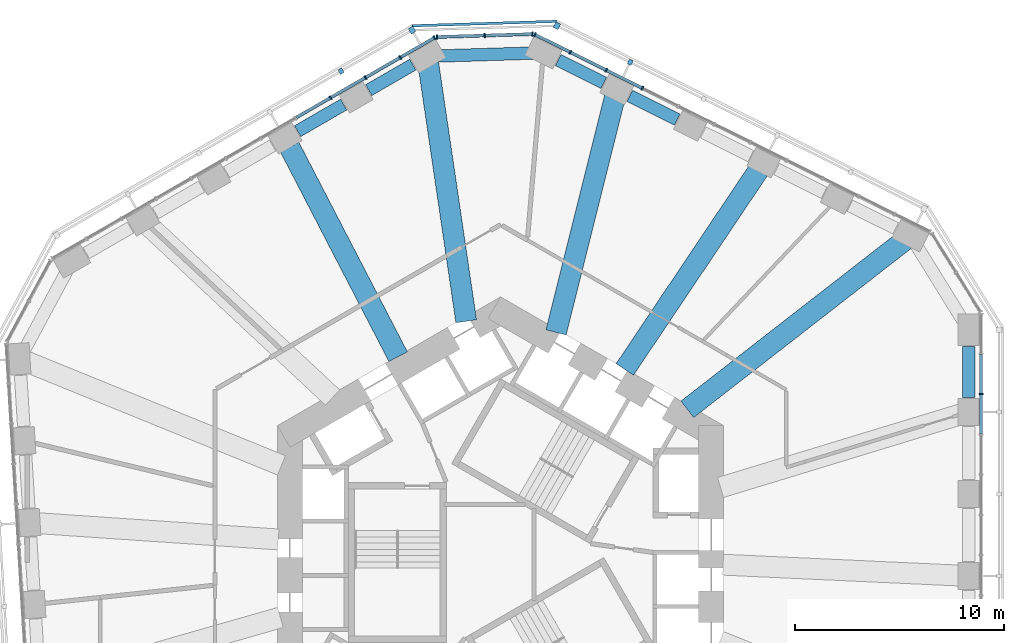
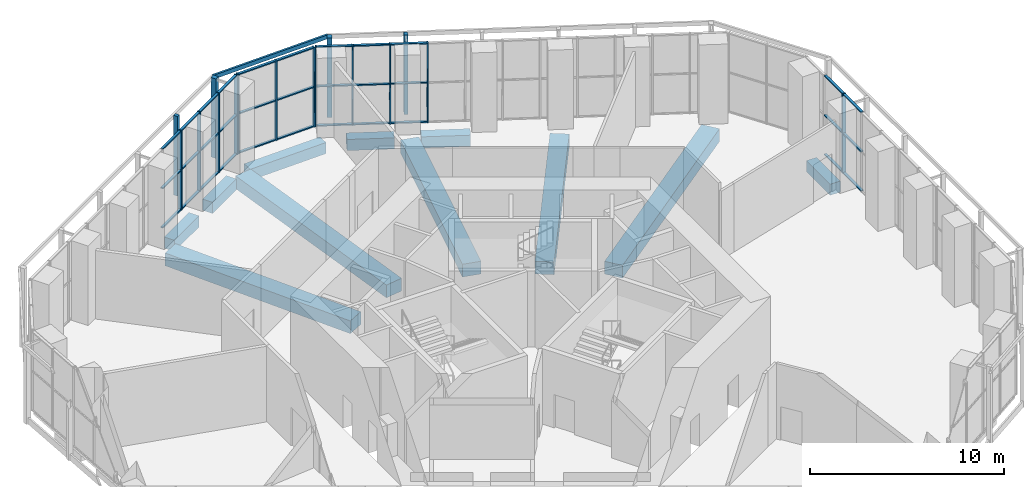
# One storey, part 8 of 19: 50 members, 11 beams, 7 elements without a shape of their own.
"""IFC4 building model written with IfcOpenShell, lengths in metres."""

from ifc_helpers import new_model, si_unit, direction, frame, origin, origin_2d, place, context, subcontext, project, spatial, rectangle, extrude, material, material_profile, profile_set, type_object, element, aggregate, save


model = new_model("IFC4")

# Units and contexts
model_context = context("Model", 3, precision=1e-05, world=origin(), true_north=direction((0.0, 1.0)))
body_context = subcontext(model_context, "Body", "Model", "MODEL_VIEW")
ifc_project = project(units=[si_unit("LENGTHUNIT", "METRE"), si_unit("AREAUNIT", "SQUARE_METRE"), si_unit("VOLUMEUNIT", "CUBIC_METRE"), si_unit("PLANEANGLEUNIT", "RADIAN"), si_unit("MASSUNIT", "GRAM", prefix="KILO")], contexts=[model_context])

# Site, building, storey
site_placement = place(None, origin())
site = spatial("IfcSite", under=ifc_project, at=site_placement, CompositionType="ELEMENT")
building_placement = place(site_placement, origin())
building = spatial("IfcBuilding", under=site, at=building_placement, Name="Vanh Sen Convention Tower", CompositionType="ELEMENT")
storey_placement = place(building_placement, frame((0.0, 0.0, 39.0)))
storey = spatial("IfcBuildingStorey", under=building, at=storey_placement, Name="L06", CompositionType="ELEMENT", Elevation=39.0)

# Curtain wall, member
ifc_material_1 = material(Name="Aluminium structural glazing system", Category="aluminium")
curtain_wall_type_1 = type_object("IfcCurtainWallType", Name="Hotel lobby structural glazing", PredefinedType="NOTDEFINED", material=ifc_material_1)
curtain_wall_1_placement = place(storey_placement, origin())
curtain_wall_1 = element("IfcCurtainWall", 1, at=curtain_wall_1_placement, inside=storey, type_object=curtain_wall_type_1, Name="Hotel lobby glazing E L06", PredefinedType="NOTDEFINED")
ifc_material_2 = material(Name="Aluminium mullion", Category="aluminium")
ifc_material_profile_1 = material_profile(ifc_material_2, rectangle(XDim=0.199951171875, YDim=0.070068359375, at=origin_2d()), Name="Lobby glazing mullion 70 x 200")
ifc_profile_set_1 = profile_set([ifc_material_profile_1], Name="Aluminium mullion")
member_type_1 = type_object("IfcMemberType", Name="Lobby glazing mullion 70 x 200", PredefinedType="MULLION", material=ifc_profile_set_1)
member_1_placement = place(storey_placement, frame((23.050048828125, 7.696533203125, 0.0), z_axis=(0.0, 0.0, 1.0), x_axis=(-1.0, 0.0, 0.0)))
member_1 = element("IfcMember", 2, at=member_1_placement, type_object=member_type_1, Name="CW2 mullion 10", PredefinedType="MULLION", context=body_context, shape_type="SweptSolid", body=[
    extrude(rectangle(XDim=0.199951171875, YDim=0.070068359375, at=origin_2d()), origin(), (0.0, 0.0, 1.0), 5.0),
])

# Curtain wall, members
curtain_wall_2_placement = place(storey_placement, origin())
curtain_wall_2 = element("IfcCurtainWall", 3, at=curtain_wall_2_placement, inside=storey, type_object=curtain_wall_type_1, Name="Hotel lobby glazing NE L06", PredefinedType="NOTDEFINED")
member_2_placement = place(storey_placement, frame((6.801513671875, 22.364990234375, 0.0), z_axis=(0.0, 0.0, 1.0), x_axis=(-0.446198535483, -0.89493400144, 0.0)))
member_2 = element("IfcMember", 4, at=member_2_placement, type_object=member_type_1, Name="CW2 mullion 9", PredefinedType="MULLION", context=body_context, shape_type="SweptSolid", body=[
    extrude(rectangle(XDim=0.199951171875, YDim=0.070068359375, at=origin_2d()), origin(), (0.0, 0.0, 1.0), 5.0),
])
member_3_placement = place(storey_placement, frame((5.072998046875, 23.226806640625, 0.0), z_axis=(0.0, 0.0, 1.0), x_axis=(-0.446198535483, -0.89493400144, 0.0)))
member_3 = element("IfcMember", 5, at=member_3_placement, type_object=member_type_1, Name="CW2 mullion 10", PredefinedType="MULLION", context=body_context, shape_type="SweptSolid", body=[
    extrude(rectangle(XDim=0.199951171875, YDim=0.070068359375, at=origin_2d()), origin(), (0.0, 0.0, 1.0), 5.0),
])
member_4_placement = place(storey_placement, frame((3.344482421875, 24.088623046875, 0.0), z_axis=(0.0, 0.0, 1.0), x_axis=(-0.446198535483, -0.89493400144, 0.0)))
member_4 = element("IfcMember", 6, at=member_4_placement, type_object=member_type_1, Name="CW2 mullion 11", PredefinedType="MULLION", context=body_context, shape_type="SweptSolid", body=[
    extrude(rectangle(XDim=0.199951171875, YDim=0.070068359375, at=origin_2d()), origin(), (0.0, 0.0, 1.0), 5.0),
])
member_5_placement = place(storey_placement, frame((1.647216796875, 24.934814453125, 0.0), z_axis=(0.0, 0.0, 1.0), x_axis=(-0.446198535483, -0.89493400144, 0.0)))
member_5 = element("IfcMember", 7, at=member_5_placement, type_object=member_type_1, Name="CW2 mullion 12", PredefinedType="MULLION", context=body_context, shape_type="SweptSolid", body=[
    extrude(rectangle(XDim=0.199951171875, YDim=0.070068359375, at=origin_2d()), origin(), (0.0, 0.0, 1.0), 5.0),
])

curtain_wall_3_placement = place(storey_placement, origin())
curtain_wall_3 = element("IfcCurtainWall", 8, at=curtain_wall_3_placement, inside=storey, type_object=curtain_wall_type_1, Name="Hotel lobby glazing CH2 L06", PredefinedType="NOTDEFINED")
member_6_placement = place(storey_placement, frame((1.533203125, 24.959716796875, 0.0), z_axis=(0.0, 0.0, 1.0), x_axis=(0.030538621474, -0.999533587529, 0.0)))
member_6 = element("IfcMember", 9, at=member_6_placement, type_object=member_type_1, Name="CW2 mullion 1", PredefinedType="MULLION", context=body_context, shape_type="SweptSolid", body=[
    extrude(rectangle(XDim=0.199951171875, YDim=0.070068359375, at=origin_2d()), origin(), (0.0, 0.0, 1.0), 5.0),
])
member_7_placement = place(storey_placement, frame((-0.760498046875, 24.8896484375, 0.0), z_axis=(0.0, 0.0, 1.0), x_axis=(0.030538621474, -0.999533587529, 0.0)))
member_7 = element("IfcMember", 10, at=member_7_placement, type_object=member_type_1, Name="CW2 mullion 2", PredefinedType="MULLION", context=body_context, shape_type="SweptSolid", body=[
    extrude(rectangle(XDim=0.199951171875, YDim=0.070068359375, at=origin_2d()), origin(), (0.0, 0.0, 1.0), 5.0),
])
member_8_placement = place(storey_placement, frame((-3.05419921875, 24.819580078125, 0.0), z_axis=(0.0, 0.0, 1.0), x_axis=(0.030538621474, -0.999533587529, 0.0)))
member_8 = element("IfcMember", 11, at=member_8_placement, type_object=member_type_1, Name="CW2 mullion 3", PredefinedType="MULLION", context=body_context, shape_type="SweptSolid", body=[
    extrude(rectangle(XDim=0.199951171875, YDim=0.070068359375, at=origin_2d()), origin(), (0.0, 0.0, 1.0), 5.0),
])

curtain_wall_4_placement = place(storey_placement, origin())
curtain_wall_4 = element("IfcCurtainWall", 12, at=curtain_wall_4_placement, inside=storey, type_object=curtain_wall_type_1, Name="Hotel lobby glazing NW L06", PredefinedType="NOTDEFINED")
member_9_placement = place(storey_placement, frame((-3.16650390625, 24.78759765625, 0.0), z_axis=(0.0, 0.0, 1.0), x_axis=(0.500000997302, -0.866024827991, 0.0)))
member_9 = element("IfcMember", 13, at=member_9_placement, type_object=member_type_1, Name="CW2 mullion 1", PredefinedType="MULLION", context=body_context, shape_type="SweptSolid", body=[
    extrude(rectangle(XDim=0.199951171875, YDim=0.070068359375, at=origin_2d()), origin(), (0.0, 0.0, 1.0), 5.0),
])
member_10_placement = place(storey_placement, frame((-4.808837890625, 23.83935546875, 0.0), z_axis=(0.0, 0.0, 1.0), x_axis=(0.500000997302, -0.866024827991, 0.0)))
member_10 = element("IfcMember", 14, at=member_10_placement, type_object=member_type_1, Name="CW2 mullion 2", PredefinedType="MULLION", context=body_context, shape_type="SweptSolid", body=[
    extrude(rectangle(XDim=0.199951171875, YDim=0.070068359375, at=origin_2d()), origin(), (0.0, 0.0, 1.0), 5.0),
])
member_11_placement = place(storey_placement, frame((-6.4814453125, 22.873779296875, 0.0), z_axis=(0.0, 0.0, 1.0), x_axis=(0.500000997302, -0.866024827991, 0.0)))
member_11 = element("IfcMember", 15, at=member_11_placement, type_object=member_type_1, Name="CW2 mullion 3", PredefinedType="MULLION", context=body_context, shape_type="SweptSolid", body=[
    extrude(rectangle(XDim=0.199951171875, YDim=0.070068359375, at=origin_2d()), origin(), (0.0, 0.0, 1.0), 5.0),
])
member_12_placement = place(storey_placement, frame((-8.154296875, 21.907958984375, 0.0), z_axis=(0.0, 0.0, 1.0), x_axis=(0.500000997302, -0.866024827991, 0.0)))
member_12 = element("IfcMember", 16, at=member_12_placement, type_object=member_type_1, Name="CW2 mullion 4", PredefinedType="MULLION", context=body_context, shape_type="SweptSolid", body=[
    extrude(rectangle(XDim=0.199951171875, YDim=0.070068359375, at=origin_2d()), origin(), (0.0, 0.0, 1.0), 5.0),
])

# Member
ifc_material_3 = material(Name="Aluminium transom", Category="aluminium")
ifc_material_profile_2 = material_profile(ifc_material_3, rectangle(XDim=0.14990234375, YDim=0.070068359375, at=origin_2d()), Name="Lobby glazing transom 150 x 70")
ifc_profile_set_2 = profile_set([ifc_material_profile_2], Name="Aluminium transom")
member_type_2 = type_object("IfcMemberType", Name="Lobby glazing transom 150 x 70", PredefinedType="USERDEFINED", material=ifc_profile_set_2)
member_13_placement = place(storey_placement, frame((23.050048828125, 5.800048828125, 0.034912109375), z_axis=(0.0, 1.0, 0.0), x_axis=(-1.0, 0.0, 0.0)))
member_13 = element("IfcMember", 17, at=member_13_placement, type_object=member_type_2, Name="CW2 transom 9.1", ObjectType="TRANSOM", PredefinedType="USERDEFINED", context=body_context, shape_type="SweptSolid", body=[
    extrude(rectangle(XDim=0.14990234375, YDim=0.070068359375, at=origin_2d()), origin(), (0.0, 0.0, 1.0), 1.861572265625),
])

member_14_placement = place(storey_placement, frame((23.050048828125, 5.800048828125, 2.5), z_axis=(0.0, 1.0, 0.0), x_axis=(-1.0, 0.0, 0.0)))
member_14 = element("IfcMember", 18, at=member_14_placement, type_object=member_type_2, Name="CW2 transom 9.2", ObjectType="TRANSOM", PredefinedType="USERDEFINED", context=body_context, shape_type="SweptSolid", body=[
    extrude(rectangle(XDim=0.14990234375, YDim=0.070068359375, at=origin_2d()), origin(), (0.0, 0.0, 1.0), 1.861572265625),
])

member_15_placement = place(storey_placement, frame((23.050048828125, 5.800048828125, 4.965087890625), z_axis=(0.0, 1.0, 0.0), x_axis=(-1.0, 0.0, 0.0)))
member_15 = element("IfcMember", 19, at=member_15_placement, type_object=member_type_2, Name="CW2 transom 9.3", ObjectType="TRANSOM", PredefinedType="USERDEFINED", context=body_context, shape_type="SweptSolid", body=[
    extrude(rectangle(XDim=0.14990234375, YDim=0.070068359375, at=origin_2d()), origin(), (0.0, 0.0, 1.0), 1.861572265625),
])

member_16_placement = place(storey_placement, frame((23.050048828125, 7.731689453125, 0.034912109375), z_axis=(0.0, 1.0, 0.0), x_axis=(-1.0, 0.0, 0.0)))
member_16 = element("IfcMember", 20, at=member_16_placement, type_object=member_type_2, Name="CW2 transom 10.1", ObjectType="TRANSOM", PredefinedType="USERDEFINED", context=body_context, shape_type="SweptSolid", body=[
    extrude(rectangle(XDim=0.14990234375, YDim=0.070068359375, at=origin_2d()), origin(), (0.0, 0.0, 1.0), 1.861328125),
])

member_17_placement = place(storey_placement, frame((23.050048828125, 7.731689453125, 2.5), z_axis=(0.0, 1.0, 0.0), x_axis=(-1.0, 0.0, 0.0)))
member_17 = element("IfcMember", 21, at=member_17_placement, type_object=member_type_2, Name="CW2 transom 10.2", ObjectType="TRANSOM", PredefinedType="USERDEFINED", context=body_context, shape_type="SweptSolid", body=[
    extrude(rectangle(XDim=0.14990234375, YDim=0.070068359375, at=origin_2d()), origin(), (0.0, 0.0, 1.0), 1.861328125),
])

member_18_placement = place(storey_placement, frame((23.050048828125, 7.731689453125, 4.965087890625), z_axis=(0.0, 1.0, 0.0), x_axis=(-1.0, 0.0, 0.0)))
member_18 = element("IfcMember", 22, at=member_18_placement, type_object=member_type_2, Name="CW2 transom 10.3", ObjectType="TRANSOM", PredefinedType="USERDEFINED", context=body_context, shape_type="SweptSolid", body=[
    extrude(rectangle(XDim=0.14990234375, YDim=0.070068359375, at=origin_2d()), origin(), (0.0, 0.0, 1.0), 1.861328125),
])

aggregate(curtain_wall_1, [member_1, member_13, member_14, member_15, member_16, member_17, member_18])

member_19_placement = place(storey_placement, frame((6.770263671875, 22.380615234375, 0.034912109375), z_axis=(-0.894925054859, 0.446216479061, 0.0), x_axis=(-0.446216479061, -0.894925054859, 0.0)))
member_19 = element("IfcMember", 23, at=member_19_placement, type_object=member_type_2, Name="CW2 transom 9.1", ObjectType="TRANSOM", PredefinedType="USERDEFINED", context=body_context, shape_type="SweptSolid", body=[
    extrude(rectangle(XDim=0.14990234375, YDim=0.070068359375, at=origin_2d()), origin(), (0.0, 0.0, 1.0), 1.861328125),
])

member_20_placement = place(storey_placement, frame((6.770263671875, 22.380615234375, 2.5), z_axis=(-0.894925054859, 0.446216479061, 0.0), x_axis=(-0.446216479061, -0.894925054859, 0.0)))
member_20 = element("IfcMember", 24, at=member_20_placement, type_object=member_type_2, Name="CW2 transom 9.2", ObjectType="TRANSOM", PredefinedType="USERDEFINED", context=body_context, shape_type="SweptSolid", body=[
    extrude(rectangle(XDim=0.14990234375, YDim=0.070068359375, at=origin_2d()), origin(), (0.0, 0.0, 1.0), 1.861328125),
])

member_21_placement = place(storey_placement, frame((6.770263671875, 22.380615234375, 4.965087890625), z_axis=(-0.894925054859, 0.446216479061, 0.0), x_axis=(-0.446216479061, -0.894925054859, 0.0)))
member_21 = element("IfcMember", 25, at=member_21_placement, type_object=member_type_2, Name="CW2 transom 9.3", ObjectType="TRANSOM", PredefinedType="USERDEFINED", context=body_context, shape_type="SweptSolid", body=[
    extrude(rectangle(XDim=0.14990234375, YDim=0.070068359375, at=origin_2d()), origin(), (0.0, 0.0, 1.0), 1.861328125),
])

member_22_placement = place(storey_placement, frame((5.041748046875, 23.242431640625, 0.034912109375), z_axis=(-0.894925054859, 0.446216479061, 0.0), x_axis=(-0.446216479061, -0.894925054859, 0.0)))
member_22 = element("IfcMember", 26, at=member_22_placement, type_object=member_type_2, Name="CW2 transom 10.1", ObjectType="TRANSOM", PredefinedType="USERDEFINED", context=body_context, shape_type="SweptSolid", body=[
    extrude(rectangle(XDim=0.14990234375, YDim=0.070068359375, at=origin_2d()), origin(), (0.0, 0.0, 1.0), 1.861328125),
])

member_23_placement = place(storey_placement, frame((5.041748046875, 23.242431640625, 2.5), z_axis=(-0.894925054859, 0.446216479061, 0.0), x_axis=(-0.446216479061, -0.894925054859, 0.0)))
member_23 = element("IfcMember", 27, at=member_23_placement, type_object=member_type_2, Name="CW2 transom 10.2", ObjectType="TRANSOM", PredefinedType="USERDEFINED", context=body_context, shape_type="SweptSolid", body=[
    extrude(rectangle(XDim=0.14990234375, YDim=0.070068359375, at=origin_2d()), origin(), (0.0, 0.0, 1.0), 1.861328125),
])

member_24_placement = place(storey_placement, frame((5.041748046875, 23.242431640625, 4.965087890625), z_axis=(-0.894925054859, 0.446216479061, 0.0), x_axis=(-0.446216479061, -0.894925054859, 0.0)))
member_24 = element("IfcMember", 28, at=member_24_placement, type_object=member_type_2, Name="CW2 transom 10.3", ObjectType="TRANSOM", PredefinedType="USERDEFINED", context=body_context, shape_type="SweptSolid", body=[
    extrude(rectangle(XDim=0.14990234375, YDim=0.070068359375, at=origin_2d()), origin(), (0.0, 0.0, 1.0), 1.861328125),
])

member_25_placement = place(storey_placement, frame((3.313232421875, 24.104248046875, 0.034912109375), z_axis=(-0.894934567955, 0.446197399229, 0.0), x_axis=(-0.446197399229, -0.894934567955, 0.0)))
member_25 = element("IfcMember", 29, at=member_25_placement, type_object=member_type_2, Name="CW2 transom 11.1", ObjectType="TRANSOM", PredefinedType="USERDEFINED", context=body_context, shape_type="SweptSolid", body=[
    extrude(rectangle(XDim=0.14990234375, YDim=0.070068359375, at=origin_2d()), origin(), (0.0, 0.0, 1.0), 1.826416015625),
])

member_26_placement = place(storey_placement, frame((3.313232421875, 24.104248046875, 2.5), z_axis=(-0.894934567955, 0.446197399229, 0.0), x_axis=(-0.446197399229, -0.894934567955, 0.0)))
member_26 = element("IfcMember", 30, at=member_26_placement, type_object=member_type_2, Name="CW2 transom 11.2", ObjectType="TRANSOM", PredefinedType="USERDEFINED", context=body_context, shape_type="SweptSolid", body=[
    extrude(rectangle(XDim=0.14990234375, YDim=0.070068359375, at=origin_2d()), origin(), (0.0, 0.0, 1.0), 1.826416015625),
])

member_27_placement = place(storey_placement, frame((3.313232421875, 24.104248046875, 4.965087890625), z_axis=(-0.894934567955, 0.446197399229, 0.0), x_axis=(-0.446197399229, -0.894934567955, 0.0)))
member_27 = element("IfcMember", 31, at=member_27_placement, type_object=member_type_2, Name="CW2 transom 11.3", ObjectType="TRANSOM", PredefinedType="USERDEFINED", context=body_context, shape_type="SweptSolid", body=[
    extrude(rectangle(XDim=0.14990234375, YDim=0.070068359375, at=origin_2d()), origin(), (0.0, 0.0, 1.0), 1.826416015625),
])

aggregate(curtain_wall_2, [member_2, member_3, member_4, member_5, member_19, member_20, member_21, member_22, member_23, member_24, member_25, member_26, member_27])

member_28_placement = place(storey_placement, frame((1.498291015625, 24.958740234375, 0.034912109375), z_axis=(-0.999534612262, -0.030505063367, 0.0), x_axis=(0.030505063367, -0.999534612262, 0.0)))
member_28 = element("IfcMember", 32, at=member_28_placement, type_object=member_type_2, Name="CW2 transom 1.1", ObjectType="TRANSOM", PredefinedType="USERDEFINED", context=body_context, shape_type="SweptSolid", body=[
    extrude(rectangle(XDim=0.14990234375, YDim=0.070068359375, at=origin_2d()), origin(), (0.0, 0.0, 1.0), 2.224853515625),
])

member_29_placement = place(storey_placement, frame((1.498291015625, 24.958740234375, 2.5), z_axis=(-0.999534612262, -0.030505063367, 0.0), x_axis=(0.030505063367, -0.999534612262, 0.0)))
member_29 = element("IfcMember", 33, at=member_29_placement, type_object=member_type_2, Name="CW2 transom 1.2", ObjectType="TRANSOM", PredefinedType="USERDEFINED", context=body_context, shape_type="SweptSolid", body=[
    extrude(rectangle(XDim=0.14990234375, YDim=0.070068359375, at=origin_2d()), origin(), (0.0, 0.0, 1.0), 2.224853515625),
])

member_30_placement = place(storey_placement, frame((1.498291015625, 24.958740234375, 4.965087890625), z_axis=(-0.999534612262, -0.030505063367, 0.0), x_axis=(0.030505063367, -0.999534612262, 0.0)))
member_30 = element("IfcMember", 34, at=member_30_placement, type_object=member_type_2, Name="CW2 transom 1.3", ObjectType="TRANSOM", PredefinedType="USERDEFINED", context=body_context, shape_type="SweptSolid", body=[
    extrude(rectangle(XDim=0.14990234375, YDim=0.070068359375, at=origin_2d()), origin(), (0.0, 0.0, 1.0), 2.224853515625),
])

member_31_placement = place(storey_placement, frame((-0.79541015625, 24.888671875, 0.034912109375), z_axis=(-0.999534612262, -0.030505063367, 0.0), x_axis=(0.030505063367, -0.999534612262, 0.0)))
member_31 = element("IfcMember", 35, at=member_31_placement, type_object=member_type_2, Name="CW2 transom 2.1", ObjectType="TRANSOM", PredefinedType="USERDEFINED", context=body_context, shape_type="SweptSolid", body=[
    extrude(rectangle(XDim=0.14990234375, YDim=0.070068359375, at=origin_2d()), origin(), (0.0, 0.0, 1.0), 2.224853515625),
])

member_32_placement = place(storey_placement, frame((-0.79541015625, 24.888671875, 2.5), z_axis=(-0.999534612262, -0.030505063367, 0.0), x_axis=(0.030505063367, -0.999534612262, 0.0)))
member_32 = element("IfcMember", 36, at=member_32_placement, type_object=member_type_2, Name="CW2 transom 2.2", ObjectType="TRANSOM", PredefinedType="USERDEFINED", context=body_context, shape_type="SweptSolid", body=[
    extrude(rectangle(XDim=0.14990234375, YDim=0.070068359375, at=origin_2d()), origin(), (0.0, 0.0, 1.0), 2.224853515625),
])

member_33_placement = place(storey_placement, frame((-0.79541015625, 24.888671875, 4.965087890625), z_axis=(-0.999534612262, -0.030505063367, 0.0), x_axis=(0.030505063367, -0.999534612262, 0.0)))
member_33 = element("IfcMember", 37, at=member_33_placement, type_object=member_type_2, Name="CW2 transom 2.3", ObjectType="TRANSOM", PredefinedType="USERDEFINED", context=body_context, shape_type="SweptSolid", body=[
    extrude(rectangle(XDim=0.14990234375, YDim=0.070068359375, at=origin_2d()), origin(), (0.0, 0.0, 1.0), 2.224853515625),
])

aggregate(curtain_wall_3, [member_6, member_7, member_8, member_28, member_29, member_30, member_31, member_32, member_33])

member_34_placement = place(storey_placement, frame((-3.19677734375, 24.770263671875, 0.034912109375), z_axis=(-0.866005284363, -0.500034846242, 0.0), x_axis=(0.500034846242, -0.866005284363, 0.0)))
member_34 = element("IfcMember", 38, at=member_34_placement, type_object=member_type_2, Name="CW2 transom 1.1", ObjectType="TRANSOM", PredefinedType="USERDEFINED", context=body_context, shape_type="SweptSolid", body=[
    extrude(rectangle(XDim=0.14990234375, YDim=0.070068359375, at=origin_2d()), origin(), (0.0, 0.0, 1.0), 1.826416015625),
])

member_35_placement = place(storey_placement, frame((-3.19677734375, 24.770263671875, 2.5), z_axis=(-0.866005284363, -0.500034846242, 0.0), x_axis=(0.500034846242, -0.866005284363, 0.0)))
member_35 = element("IfcMember", 39, at=member_35_placement, type_object=member_type_2, Name="CW2 transom 1.2", ObjectType="TRANSOM", PredefinedType="USERDEFINED", context=body_context, shape_type="SweptSolid", body=[
    extrude(rectangle(XDim=0.14990234375, YDim=0.070068359375, at=origin_2d()), origin(), (0.0, 0.0, 1.0), 1.826416015625),
])

member_36_placement = place(storey_placement, frame((-3.19677734375, 24.770263671875, 4.965087890625), z_axis=(-0.866005284363, -0.500034846242, 0.0), x_axis=(0.500034846242, -0.866005284363, 0.0)))
member_36 = element("IfcMember", 40, at=member_36_placement, type_object=member_type_2, Name="CW2 transom 1.3", ObjectType="TRANSOM", PredefinedType="USERDEFINED", context=body_context, shape_type="SweptSolid", body=[
    extrude(rectangle(XDim=0.14990234375, YDim=0.070068359375, at=origin_2d()), origin(), (0.0, 0.0, 1.0), 1.826416015625),
])

member_37_placement = place(storey_placement, frame((-4.839111328125, 23.822021484375, 0.034912109375), z_axis=(-0.865982457891, -0.500074377092, 0.0), x_axis=(0.500074377092, -0.865982457891, 0.0)))
member_37 = element("IfcMember", 41, at=member_37_placement, type_object=member_type_2, Name="CW2 transom 2.1", ObjectType="TRANSOM", PredefinedType="USERDEFINED", context=body_context, shape_type="SweptSolid", body=[
    extrude(rectangle(XDim=0.14990234375, YDim=0.070068359375, at=origin_2d()), origin(), (0.0, 0.0, 1.0), 1.861572265625),
])

member_38_placement = place(storey_placement, frame((-4.839111328125, 23.822021484375, 2.5), z_axis=(-0.865982457891, -0.500074377092, 0.0), x_axis=(0.500074377092, -0.865982457891, 0.0)))
member_38 = element("IfcMember", 42, at=member_38_placement, type_object=member_type_2, Name="CW2 transom 2.2", ObjectType="TRANSOM", PredefinedType="USERDEFINED", context=body_context, shape_type="SweptSolid", body=[
    extrude(rectangle(XDim=0.14990234375, YDim=0.070068359375, at=origin_2d()), origin(), (0.0, 0.0, 1.0), 1.861572265625),
])

member_39_placement = place(storey_placement, frame((-4.839111328125, 23.822021484375, 4.965087890625), z_axis=(-0.865982457891, -0.500074377092, 0.0), x_axis=(0.500074377092, -0.865982457891, 0.0)))
member_39 = element("IfcMember", 43, at=member_39_placement, type_object=member_type_2, Name="CW2 transom 2.3", ObjectType="TRANSOM", PredefinedType="USERDEFINED", context=body_context, shape_type="SweptSolid", body=[
    extrude(rectangle(XDim=0.14990234375, YDim=0.070068359375, at=origin_2d()), origin(), (0.0, 0.0, 1.0), 1.861572265625),
])

member_40_placement = place(storey_placement, frame((-6.51171875, 22.856201171875, 0.034912109375), z_axis=(-0.866039251212, -0.499976014784, 0.0), x_axis=(0.499976014784, -0.866039251212, 0.0)))
member_40 = element("IfcMember", 44, at=member_40_placement, type_object=member_type_2, Name="CW2 transom 3.1", ObjectType="TRANSOM", PredefinedType="USERDEFINED", context=body_context, shape_type="SweptSolid", body=[
    extrude(rectangle(XDim=0.14990234375, YDim=0.070068359375, at=origin_2d()), origin(), (0.0, 0.0, 1.0), 1.861328125),
])

member_41_placement = place(storey_placement, frame((-6.51171875, 22.856201171875, 2.5), z_axis=(-0.866039251212, -0.499976014784, 0.0), x_axis=(0.499976014784, -0.866039251212, 0.0)))
member_41 = element("IfcMember", 45, at=member_41_placement, type_object=member_type_2, Name="CW2 transom 3.2", ObjectType="TRANSOM", PredefinedType="USERDEFINED", context=body_context, shape_type="SweptSolid", body=[
    extrude(rectangle(XDim=0.14990234375, YDim=0.070068359375, at=origin_2d()), origin(), (0.0, 0.0, 1.0), 1.861328125),
])

member_42_placement = place(storey_placement, frame((-6.51171875, 22.856201171875, 4.965087890625), z_axis=(-0.866039251212, -0.499976014784, 0.0), x_axis=(0.499976014784, -0.866039251212, 0.0)))
member_42 = element("IfcMember", 46, at=member_42_placement, type_object=member_type_2, Name="CW2 transom 3.3", ObjectType="TRANSOM", PredefinedType="USERDEFINED", context=body_context, shape_type="SweptSolid", body=[
    extrude(rectangle(XDim=0.14990234375, YDim=0.070068359375, at=origin_2d()), origin(), (0.0, 0.0, 1.0), 1.861328125),
])

member_43_placement = place(storey_placement, frame((-8.1845703125, 21.890380859375, 0.034912109375), z_axis=(-0.866039251212, -0.499976014784, 0.0), x_axis=(0.499976014784, -0.866039251212, 0.0)))
member_43 = element("IfcMember", 47, at=member_43_placement, type_object=member_type_2, Name="CW2 transom 4.1", ObjectType="TRANSOM", PredefinedType="USERDEFINED", context=body_context, shape_type="SweptSolid", body=[
    extrude(rectangle(XDim=0.14990234375, YDim=0.070068359375, at=origin_2d()), origin(), (0.0, 0.0, 1.0), 1.861328125),
])

member_44_placement = place(storey_placement, frame((-8.1845703125, 21.890380859375, 2.5), z_axis=(-0.866039251212, -0.499976014784, 0.0), x_axis=(0.499976014784, -0.866039251212, 0.0)))
member_44 = element("IfcMember", 48, at=member_44_placement, type_object=member_type_2, Name="CW2 transom 4.2", ObjectType="TRANSOM", PredefinedType="USERDEFINED", context=body_context, shape_type="SweptSolid", body=[
    extrude(rectangle(XDim=0.14990234375, YDim=0.070068359375, at=origin_2d()), origin(), (0.0, 0.0, 1.0), 1.861328125),
])

member_45_placement = place(storey_placement, frame((-8.1845703125, 21.890380859375, 4.965087890625), z_axis=(-0.866039251212, -0.499976014784, 0.0), x_axis=(0.499976014784, -0.866039251212, 0.0)))
member_45 = element("IfcMember", 49, at=member_45_placement, type_object=member_type_2, Name="CW2 transom 4.3", ObjectType="TRANSOM", PredefinedType="USERDEFINED", context=body_context, shape_type="SweptSolid", body=[
    extrude(rectangle(XDim=0.14990234375, YDim=0.070068359375, at=origin_2d()), origin(), (0.0, 0.0, 1.0), 1.861328125),
])

aggregate(curtain_wall_4, [member_9, member_10, member_11, member_12, member_34, member_35, member_36, member_37, member_38, member_39, member_40, member_41, member_42, member_43, member_44, member_45])

# Curtain wall, member
ifc_material_4 = material(Name="Concrete C50/60", Category="concrete")
curtain_wall_type_2 = type_object("IfcCurtainWallType", Name="Outer skin hotel zone", PredefinedType="NOTDEFINED", material=ifc_material_4)
curtain_wall_5_placement = place(storey_placement, origin())
curtain_wall_5 = element("IfcCurtainWall", 50, at=curtain_wall_5_placement, inside=storey, type_object=curtain_wall_type_2, Name="OUTER SKIN NE L06", PredefinedType="NOTDEFINED")
ifc_material_profile_3 = material_profile(ifc_material_4, rectangle(XDim=0.25, YDim=0.300048828125, at=origin_2d()), Name="Outer skin precast corner fin 250 x 300")
ifc_profile_set_3 = profile_set([ifc_material_profile_3], Name="Concrete C50/60")
member_type_3 = type_object("IfcMemberType", Name="Outer skin precast corner fin 250 x 300", PredefinedType="MULLION", material=ifc_profile_set_3)
member_46_placement = place(storey_placement, frame((2.699951171875, 25.35986328125, 0.0), z_axis=(0.0, 0.0, 1.0), x_axis=(-0.894934361602, 0.44619781311, 0.0)))
member_46 = element("IfcMember", 51, at=member_46_placement, type_object=member_type_3, Name="OUTER SKIN CORNER FIN 6 NE L06", PredefinedType="MULLION", context=body_context, shape_type="SweptSolid", body=[
    extrude(rectangle(XDim=0.25, YDim=0.300048828125, at=origin_2d()), origin(), (0.0, 0.0, 1.0), 5.0),
])

curtain_wall_6_placement = place(storey_placement, origin())
curtain_wall_6 = element("IfcCurtainWall", 52, at=curtain_wall_6_placement, inside=storey, type_object=curtain_wall_type_2, Name="OUTER SKIN NW L06", PredefinedType="NOTDEFINED")
member_47_placement = place(storey_placement, frame((-4.242919921875, 25.147705078125, 0.0), z_axis=(0.0, 0.0, 1.0), x_axis=(-0.866025403784, -0.5, 0.0)))
member_47 = element("IfcMember", 53, at=member_47_placement, type_object=member_type_3, Name="OUTER SKIN CORNER FIN 1 NW L06", PredefinedType="MULLION", context=body_context, shape_type="SweptSolid", body=[
    extrude(rectangle(XDim=0.25, YDim=0.300048828125, at=origin_2d()), origin(), (0.0, 0.0, 1.0), 5.0),
])

# Member
ifc_material_profile_4 = material_profile(ifc_material_4, rectangle(XDim=0.199951171875, YDim=0.25, at=origin_2d()), Name="Outer skin precast fin 200 x 250")
ifc_profile_set_4 = profile_set([ifc_material_profile_4], Name="Concrete C50/60")
member_type_4 = type_object("IfcMemberType", Name="Outer skin precast fin 200 x 250", PredefinedType="MULLION", material=ifc_profile_set_4)
member_48_placement = place(storey_placement, frame((6.22119140625, 23.604248046875, 0.0), z_axis=(0.0, 0.0, 1.0), x_axis=(-0.894934361602, 0.44619781311, 0.0)))
member_48 = element("IfcMember", 54, at=member_48_placement, type_object=member_type_4, Name="OUTER SKIN fin 5 NE L06", PredefinedType="MULLION", context=body_context, shape_type="SweptSolid", body=[
    extrude(rectangle(XDim=0.199951171875, YDim=0.25, at=origin_2d()), origin(), (0.0, 0.0, 1.0), 5.0),
])

aggregate(curtain_wall_5, [member_48, member_46])

member_49_placement = place(storey_placement, frame((-7.650390625, 23.180419921875, 0.0), z_axis=(0.0, 0.0, 1.0), x_axis=(-0.866025403784, -0.5, 0.0)))
member_49 = element("IfcMember", 55, at=member_49_placement, type_object=member_type_4, Name="OUTER SKIN fin 2 NW L06", PredefinedType="MULLION", context=body_context, shape_type="SweptSolid", body=[
    extrude(rectangle(XDim=0.199951171875, YDim=0.25, at=origin_2d()), origin(), (0.0, 0.0, 1.0), 5.0),
])

aggregate(curtain_wall_6, [member_47, member_49])

# Curtain wall, member
curtain_wall_7_placement = place(storey_placement, origin())
curtain_wall_7 = element("IfcCurtainWall", 56, at=curtain_wall_7_placement, inside=storey, type_object=curtain_wall_type_2, Name="OUTER SKIN CH2 L06", PredefinedType="NOTDEFINED")
ifc_material_profile_5 = material_profile(ifc_material_4, rectangle(XDim=0.1201171875, YDim=0.25, at=origin_2d()), Name="Outer skin precast spandrel band 250 x 120")
ifc_profile_set_5 = profile_set([ifc_material_profile_5], Name="Concrete C50/60")
member_type_5 = type_object("IfcMemberType", Name="Outer skin precast spandrel band 250 x 120", PredefinedType="USERDEFINED", material=ifc_profile_set_5)
member_50_placement = place(storey_placement, frame((2.693603515625, 25.569580078125, 4.875), z_axis=(-0.999533472857, -0.030542374483, 0.0), x_axis=(0.030542374483, -0.999533472857, 0.0)))
member_50 = element("IfcMember", 57, at=member_50_placement, type_object=member_type_5, Name="OUTER SKIN spandrel band CH2 L06", ObjectType="TRANSOM", PredefinedType="USERDEFINED", context=body_context, shape_type="SweptSolid", body=[
    extrude(rectangle(XDim=0.1201171875, YDim=0.25, at=origin_2d()), origin(), (0.0, 0.0, 1.0), 6.9462890625),
])
aggregate(curtain_wall_7, [member_50])

# Beams
ifc_material_5 = material(Name="Concrete C50/60", Category="concrete")
ifc_material_profile_6 = material_profile(ifc_material_5, rectangle(XDim=1.0, YDim=0.800048828125, at=origin_2d()), Name="RC 1000X800")
ifc_profile_set_6 = profile_set([ifc_material_profile_6], Name="Concrete C50/60")
beam_type_1 = type_object("IfcBeamType", Name="Radial floor beam 1000 x 800", PredefinedType="BEAM", material=ifc_profile_set_6)
beam_1_placement = place(storey_placement, frame((19.41455078125, 15.093994140625, -0.699951171875), z_axis=(-0.789473256885, -0.613784959627, 0.0), x_axis=(0.613784959627, -0.789473256885, 0.0)))
element("IfcBeam", 58, at=beam_1_placement, inside=storey, type_object=beam_type_1, Name="Radial beam 04 L06", PredefinedType="BEAM", context=body_context, shape_type="SweptSolid", body=[
    extrude(rectangle(XDim=1.0, YDim=0.800048828125, at=origin_2d()), origin(), (0.0, 0.0, 1.0), 13.248779296875),
])
beam_2_placement = place(storey_placement, frame((12.37451171875, 18.4345703125, -0.699951171875), z_axis=(-0.557339003239, -0.830285032666, 0.0), x_axis=(0.830285032666, -0.557339003239, 0.0)))
element("IfcBeam", 59, at=beam_2_placement, inside=storey, type_object=beam_type_1, Name="Radial beam 05 L06", PredefinedType="BEAM", context=body_context, shape_type="SweptSolid", body=[
    extrude(rectangle(XDim=1.0, YDim=0.800048828125, at=origin_2d()), origin(), (0.0, 0.0, 1.0), 11.51708984375),
])
beam_3_placement = place(storey_placement, frame((5.47802734375, 21.921875, -0.699951171875), z_axis=(-0.242426812684, -0.97016969675, 0.0), x_axis=(0.97016969675, -0.242426812684, 0.0)))
element("IfcBeam", 60, at=beam_3_placement, inside=storey, type_object=beam_type_1, Name="Radial beam 06 L06", PredefinedType="BEAM", context=body_context, shape_type="SweptSolid", body=[
    extrude(rectangle(XDim=1.0, YDim=0.800048828125, at=origin_2d()), origin(), (0.0, 0.0, 1.0), 11.614501953125),
])
beam_4_placement = place(storey_placement, frame((-3.46923828125, 23.560791015625, -0.699951171875), z_axis=(0.145669310946, -0.989333337075, 0.0), x_axis=(0.989333337075, 0.145669310946, 0.0)))
element("IfcBeam", 61, at=beam_4_placement, inside=storey, type_object=beam_type_1, Name="Radial beam 07 L06", PredefinedType="BEAM", context=body_context, shape_type="SweptSolid", body=[
    extrude(rectangle(XDim=1.0, YDim=0.800048828125, at=origin_2d()), origin(), (0.0, 0.0, 1.0), 12.5078125),
])
beam_5_placement = place(storey_placement, frame((-10.115478515625, 19.53759765625, -0.699951171875), z_axis=(0.459758563435, -0.8880439535, 0.0), x_axis=(0.8880439535, 0.459758563435, 0.0)))
element("IfcBeam", 62, at=beam_5_placement, inside=storey, type_object=beam_type_1, Name="Radial beam 08 L06", PredefinedType="BEAM", context=body_context, shape_type="SweptSolid", body=[
    extrude(rectangle(XDim=1.0, YDim=0.800048828125, at=origin_2d()), origin(), (0.0, 0.0, 1.0), 11.317626953125),
])
ifc_material_profile_7 = material_profile(ifc_material_5, rectangle(XDim=0.60009765625, YDim=0.699951171875, at=origin_2d()), Name="RC 600X700")
ifc_profile_set_7 = profile_set([ifc_material_profile_7], Name="Concrete C50/60")
beam_type_2 = type_object("IfcBeamType", Name="Spandrel beam 600 x 700", PredefinedType="SPANDREL", material=ifc_profile_set_7)
beam_6_placement = place(storey_placement, frame((22.449951171875, 7.5341796875, -0.64990234375), z_axis=(0.0, 1.0, 0.0), x_axis=(-1.0, 0.0, 0.0)))
element("IfcBeam", 63, at=beam_6_placement, inside=storey, type_object=beam_type_2, Name="Spandrel beam 05 L06", PredefinedType="SPANDREL", context=body_context, shape_type="SweptSolid", body=[
    extrude(rectangle(XDim=0.60009765625, YDim=0.699951171875, at=origin_2d()), origin(), (0.0, 0.0, 1.0), 2.444580078125),
])
beam_7_placement = place(storey_placement, frame((8.473388671875, 20.861083984375, -0.64990234375), z_axis=(-0.89496383082, 0.446138702113, 0.0), x_axis=(-0.446138702113, -0.89496383082, 0.0)))
element("IfcBeam", 64, at=beam_7_placement, inside=storey, type_object=beam_type_2, Name="Spandrel beam 10 L06", PredefinedType="SPANDREL", context=body_context, shape_type="SweptSolid", body=[
    extrude(rectangle(XDim=0.60009765625, YDim=0.699951171875, at=origin_2d()), origin(), (0.0, 0.0, 1.0), 2.544677734375),
])
beam_8_placement = place(storey_placement, frame((4.9521484375, 22.61669921875, -0.64990234375), z_axis=(-0.894925978374, 0.446214626869, 0.0), x_axis=(-0.446214626869, -0.894925978374, 0.0)))
element("IfcBeam", 65, at=beam_8_placement, inside=storey, type_object=beam_type_2, Name="Spandrel beam 11 L06", PredefinedType="SPANDREL", context=body_context, shape_type="SweptSolid", body=[
    extrude(rectangle(XDim=0.60009765625, YDim=0.699951171875, at=origin_2d()), origin(), (0.0, 0.0, 1.0), 2.444580078125),
])
beam_9_placement = place(storey_placement, frame((1.56005859375, 24.047119140625, -0.64990234375), z_axis=(-0.99953328448, -0.030548538698, 0.0), x_axis=(0.030548538698, -0.99953328448, 0.0)))
element("IfcBeam", 66, at=beam_9_placement, inside=storey, type_object=beam_type_2, Name="Spandrel beam 12 L06", PredefinedType="SPANDREL", context=body_context, shape_type="SweptSolid", body=[
    extrude(rectangle(XDim=0.60009765625, YDim=0.699951171875, at=origin_2d()), origin(), (0.0, 0.0, 1.0), 4.58740234375),
])
beam_10_placement = place(storey_placement, frame((-4.20654296875, 23.494384765625, -0.64990234375), z_axis=(-0.866034234215, -0.499984704934, 0.0), x_axis=(0.499984704934, -0.866034234215, 0.0)))
element("IfcBeam", 67, at=beam_10_placement, inside=storey, type_object=beam_type_2, Name="Spandrel beam 13 L06", PredefinedType="SPANDREL", context=body_context, shape_type="SweptSolid", body=[
    extrude(rectangle(XDim=0.60009765625, YDim=0.699951171875, at=origin_2d()), origin(), (0.0, 0.0, 1.0), 2.4443359375),
])
beam_11_placement = place(storey_placement, frame((-7.52734375, 21.5771484375, -0.64990234375), z_axis=(-0.865990650555, -0.500060189529, 0.0), x_axis=(0.500060189529, -0.865990650555, 0.0)))
element("IfcBeam", 68, at=beam_11_placement, inside=storey, type_object=beam_type_2, Name="Spandrel beam 14 L06", PredefinedType="SPANDREL", context=body_context, shape_type="SweptSolid", body=[
    extrude(rectangle(XDim=0.60009765625, YDim=0.699951171875, at=origin_2d()), origin(), (0.0, 0.0, 1.0), 2.544677734375),
])

save(model, "model.ifc")
